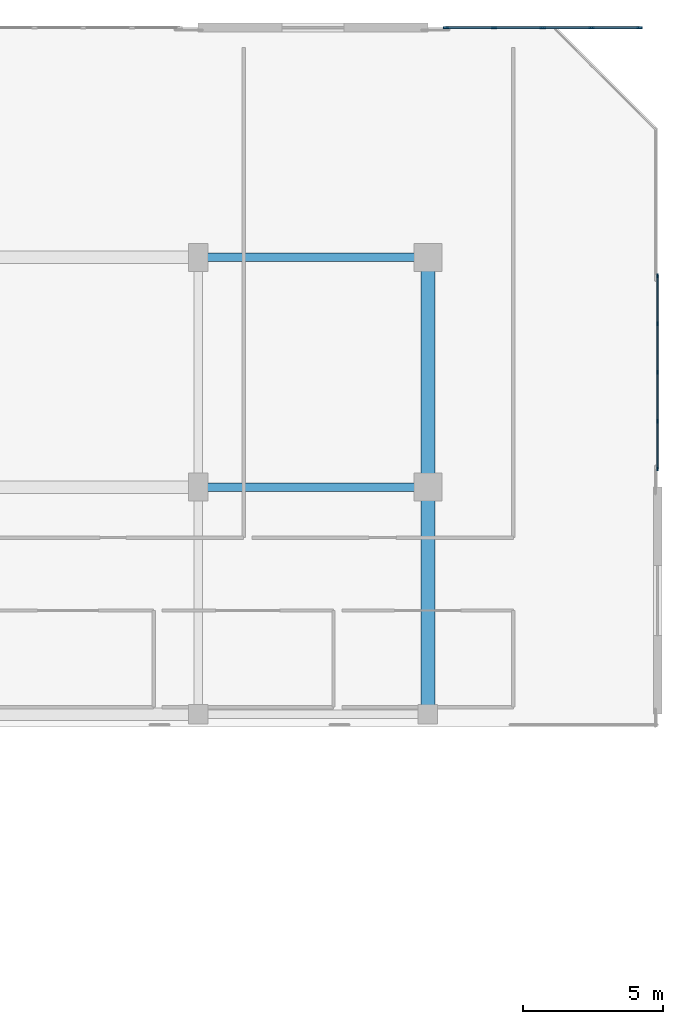
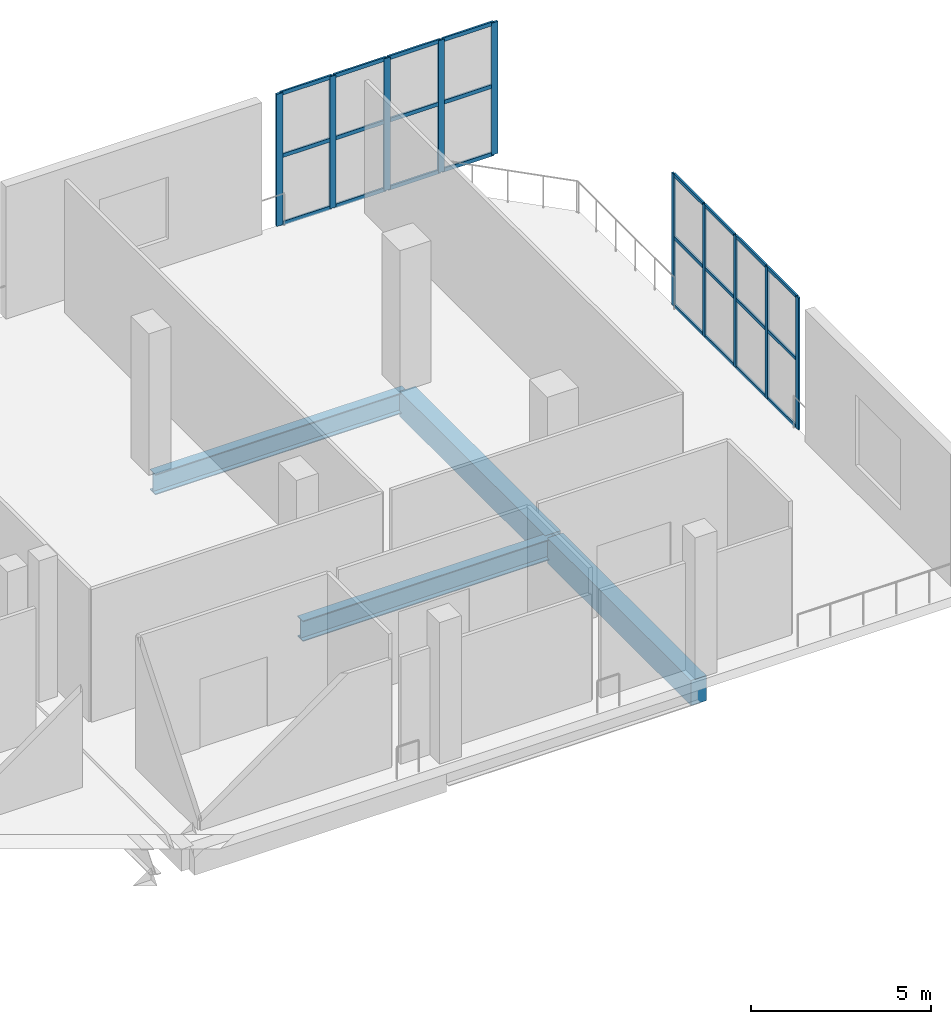
# One storey, part 58 of 129: 34 members, 4 beams, 2 elements without a shape of their own.
"""IFC4 building model written with IfcOpenShell, lengths in metres."""

from ifc_helpers import new_model, si_unit, direction, frame, origin, origin_2d, place, context, subcontext, project, spatial, rectangle, i_section, extrude, material, material_profile, profile_set, type_object, element, aggregate, save


model = new_model("IFC4")

# Units and contexts
model_context = context("Model", 3, precision=1e-05, world=origin(), true_north=direction((0.0, 1.0)))
body_context = subcontext(model_context, "Body", "Model", "MODEL_VIEW")
ifc_project = project(units=[si_unit("LENGTHUNIT", "METRE"), si_unit("AREAUNIT", "SQUARE_METRE"), si_unit("VOLUMEUNIT", "CUBIC_METRE"), si_unit("PLANEANGLEUNIT", "RADIAN"), si_unit("MASSUNIT", "GRAM", prefix="KILO")], contexts=[model_context])

# Site, building, storey
site_placement = place(None, origin())
site = spatial("IfcSite", under=ifc_project, at=site_placement, CompositionType="ELEMENT")
building_placement = place(site_placement, origin())
building = spatial("IfcBuilding", under=site, at=building_placement, Name="Koshinbarg Plaza Stadium", CompositionType="ELEMENT")
storey_placement = place(building_placement, frame((0.0, 0.0, 5.39990234375)))
storey = spatial("IfcBuildingStorey", under=building, at=storey_placement, Name="L01", CompositionType="ELEMENT", Elevation=5.39990234375)

# Beams
ifc_material_1 = material(Name="Concrete C40/50", Category="concrete")
ifc_material_profile_1 = material_profile(ifc_material_1, rectangle(XDim=0.5, YDim=0.85009765625, at=origin_2d()), Name="RC 500x850")
ifc_profile_set_1 = profile_set([ifc_material_profile_1], Name="Concrete C40/50")
beam_type_1 = type_object("IfcBeamType", Name="BM-RCG-05", PredefinedType="USERDEFINED", material=ifc_profile_set_1)
beam_1_placement = place(storey_placement, frame((235.800048828125, 127.56005859375, -0.744873046875), z_axis=(0.0, 1.0, 0.0), x_axis=(-1.0, 0.0, 0.0)))
element("IfcBeam", 1, at=beam_1_placement, inside=storey, type_object=beam_type_1, Name="L01 Y girder 24/S-T", ObjectType="GIRDER", PredefinedType="USERDEFINED", context=body_context, shape_type="SweptSolid", body=[
    extrude(rectangle(XDim=0.5, YDim=0.85009765625, at=origin_2d()), origin(), (0.0, 0.0, 1.0), 7.97998046875),
])
beam_2_placement = place(storey_placement, frame((235.800048828125, 135.659912109375, -0.744873046875), z_axis=(0.0, 1.0, 0.0), x_axis=(-1.0, 0.0, 0.0)))
element("IfcBeam", 2, at=beam_2_placement, inside=storey, type_object=beam_type_1, Name="L01 Y girder 24/T-U", ObjectType="GIRDER", PredefinedType="USERDEFINED", context=body_context, shape_type="SweptSolid", body=[
    extrude(rectangle(XDim=0.5, YDim=0.85009765625, at=origin_2d()), origin(), (0.0, 0.0, 1.0), 8.080078125),
])
ifc_material_2 = material(Name="Steel S355", Category="steel")
ifc_material_profile_2 = material_profile(ifc_material_2, i_section(OverallWidth=0.300048828125, OverallDepth=0.699951171875, WebThickness=0.01708984375, FlangeThickness=0.031982421875, at=origin_2d()), Name="HEB 700")
ifc_profile_set_2 = profile_set([ifc_material_profile_2], Name="Steel S355")
beam_type_2 = type_object("IfcBeamType", Name="BM-SGIR-03", PredefinedType="USERDEFINED", material=ifc_profile_set_2)
for number, where, z_axis, x_axis, name in (
    (3, (227.659912109375, 135.60009765625, -0.669921875), (1.0, 0.0, 0.0), (0.0, 1.0, 0.0), "L01 X girder T/23-24"),
    (4, (227.659912109375, 143.800048828125, -0.669921875), (1.0, 0.0, 0.0), (0.0, 1.0, 0.0), "L01 X girder U/23-24"),
):
    element("IfcBeam", number, at=place(storey_placement, frame(where, z_axis=z_axis, x_axis=x_axis)), inside=storey, type_object=beam_type_2, Name=name, ObjectType="GIRDER", PredefinedType="USERDEFINED", context=body_context, shape_type="SweptSolid", body=[
        extrude(i_section(OverallWidth=0.300048828125, OverallDepth=0.699951171875, WebThickness=0.01708984375, FlangeThickness=0.031982421875, at=origin_2d()), origin(), (0.0, 0.0, 1.0), 8.080078125),
    ])

# Curtain wall, members
ifc_material_3 = material(Name="Thermally broken anodised aluminium and low-E double glazing", Category="aluminium")
curtain_wall_type_1 = type_object("IfcCurtainWallType", Name="CW-SYS-09", PredefinedType="NOTDEFINED", material=ifc_material_3)
curtain_wall_1_placement = place(storey_placement, origin())
curtain_wall_1 = element("IfcCurtainWall", 5, at=curtain_wall_1_placement, inside=storey, type_object=curtain_wall_type_1, Name="L01 unitised curtain wall CW-L01-024", PredefinedType="NOTDEFINED")
ifc_material_4 = material(Name="Anodised aluminium mullion", Category="aluminium")
ifc_material_profile_3 = material_profile(ifc_material_4, rectangle(XDim=0.06005859375, YDim=0.139892578125, at=origin_2d()), Name="ALU 60x140")
ifc_profile_set_3 = profile_set([ifc_material_profile_3], Name="Anodised aluminium mullion")
member_type_1 = type_object("IfcMemberType", Name="CW-MUL-01", PredefinedType="MULLION", material=ifc_profile_set_3)
member_1_placement = place(storey_placement, frame((244.0, 143.14990234375, 0.0), z_axis=(0.0, 0.0, 1.0), x_axis=(1.0, 0.0, 0.0)))
member_1 = element("IfcMember", 6, at=member_1_placement, type_object=member_type_1, Name="CW09 mullion 1", PredefinedType="MULLION", context=body_context, shape_type="SweptSolid", body=[
    extrude(rectangle(XDim=0.06005859375, YDim=0.139892578125, at=origin_2d()), origin(), (0.0, 0.0, 1.0), 4.47998046875),
])
member_2_placement = place(storey_placement, frame((244.0, 141.43994140625, 0.0), z_axis=(0.0, 0.0, 1.0), x_axis=(1.0, 0.0, 0.0)))
member_2 = element("IfcMember", 7, at=member_2_placement, type_object=member_type_1, Name="CW09 mullion 2", PredefinedType="MULLION", context=body_context, shape_type="SweptSolid", body=[
    extrude(rectangle(XDim=0.06005859375, YDim=0.139892578125, at=origin_2d()), origin(), (0.0, 0.0, 1.0), 4.47998046875),
])
member_3_placement = place(storey_placement, frame((244.0, 139.699951171875, 0.0), z_axis=(0.0, 0.0, 1.0), x_axis=(1.0, 0.0, 0.0)))
member_3 = element("IfcMember", 8, at=member_3_placement, type_object=member_type_1, Name="CW09 mullion 3", PredefinedType="MULLION", context=body_context, shape_type="SweptSolid", body=[
    extrude(rectangle(XDim=0.06005859375, YDim=0.139892578125, at=origin_2d()), origin(), (0.0, 0.0, 1.0), 4.47998046875),
])
member_4_placement = place(storey_placement, frame((244.0, 137.9599609375, 0.0), z_axis=(0.0, 0.0, 1.0), x_axis=(1.0, 0.0, 0.0)))
member_4 = element("IfcMember", 9, at=member_4_placement, type_object=member_type_1, Name="CW09 mullion 4", PredefinedType="MULLION", context=body_context, shape_type="SweptSolid", body=[
    extrude(rectangle(XDim=0.06005859375, YDim=0.139892578125, at=origin_2d()), origin(), (0.0, 0.0, 1.0), 4.47998046875),
])
member_5_placement = place(storey_placement, frame((244.0, 136.25, 0.0), z_axis=(0.0, 0.0, 1.0), x_axis=(1.0, 0.0, 0.0)))
member_5 = element("IfcMember", 10, at=member_5_placement, type_object=member_type_1, Name="CW09 mullion 5", PredefinedType="MULLION", context=body_context, shape_type="SweptSolid", body=[
    extrude(rectangle(XDim=0.06005859375, YDim=0.139892578125, at=origin_2d()), origin(), (0.0, 0.0, 1.0), 4.47998046875),
])

curtain_wall_type_2 = type_object("IfcCurtainWallType", Name="CW-SYS-04", PredefinedType="NOTDEFINED", material=ifc_material_3)
curtain_wall_2_placement = place(storey_placement, origin())
curtain_wall_2 = element("IfcCurtainWall", 11, at=curtain_wall_2_placement, inside=storey, type_object=curtain_wall_type_2, Name="L01 unitised curtain wall CW-L01-019", PredefinedType="NOTDEFINED")
ifc_material_profile_4 = material_profile(ifc_material_4, rectangle(XDim=0.070068359375, YDim=0.199951171875, at=origin_2d()), Name="ALU 70x200")
ifc_profile_set_4 = profile_set([ifc_material_profile_4], Name="Anodised aluminium mullion")
member_type_2 = type_object("IfcMemberType", Name="CW-MUL-04", PredefinedType="MULLION", material=ifc_profile_set_4)
member_6_placement = place(storey_placement, frame((236.449951171875, 152.0, 0.0), z_axis=(0.0, 0.0, 1.0), x_axis=(0.0, 1.0, 0.0)))
member_6 = element("IfcMember", 12, at=member_6_placement, type_object=member_type_2, Name="CW04 mullion 1", PredefinedType="MULLION", context=body_context, shape_type="SweptSolid", body=[
    extrude(rectangle(XDim=0.070068359375, YDim=0.199951171875, at=origin_2d()), origin(), (0.0, 0.0, 1.0), 4.47998046875),
])
member_7_placement = place(storey_placement, frame((238.159912109375, 152.0, 0.0), z_axis=(0.0, 0.0, 1.0), x_axis=(0.0, 1.0, 0.0)))
member_7 = element("IfcMember", 13, at=member_7_placement, type_object=member_type_2, Name="CW04 mullion 2", PredefinedType="MULLION", context=body_context, shape_type="SweptSolid", body=[
    extrude(rectangle(XDim=0.070068359375, YDim=0.199951171875, at=origin_2d()), origin(), (0.0, 0.0, 1.0), 4.47998046875),
])
member_8_placement = place(storey_placement, frame((239.89990234375, 152.0, 0.0), z_axis=(0.0, 0.0, 1.0), x_axis=(0.0, 1.0, 0.0)))
member_8 = element("IfcMember", 14, at=member_8_placement, type_object=member_type_2, Name="CW04 mullion 3", PredefinedType="MULLION", context=body_context, shape_type="SweptSolid", body=[
    extrude(rectangle(XDim=0.070068359375, YDim=0.199951171875, at=origin_2d()), origin(), (0.0, 0.0, 1.0), 4.47998046875),
])
member_9_placement = place(storey_placement, frame((241.639892578125, 152.0, 0.0), z_axis=(0.0, 0.0, 1.0), x_axis=(0.0, 1.0, 0.0)))
member_9 = element("IfcMember", 15, at=member_9_placement, type_object=member_type_2, Name="CW04 mullion 4", PredefinedType="MULLION", context=body_context, shape_type="SweptSolid", body=[
    extrude(rectangle(XDim=0.070068359375, YDim=0.199951171875, at=origin_2d()), origin(), (0.0, 0.0, 1.0), 4.47998046875),
])
member_10_placement = place(storey_placement, frame((243.35009765625, 152.0, 0.0), z_axis=(0.0, 0.0, 1.0), x_axis=(0.0, 1.0, 0.0)))
member_10 = element("IfcMember", 16, at=member_10_placement, type_object=member_type_2, Name="CW04 mullion 5", PredefinedType="MULLION", context=body_context, shape_type="SweptSolid", body=[
    extrude(rectangle(XDim=0.070068359375, YDim=0.199951171875, at=origin_2d()), origin(), (0.0, 0.0, 1.0), 4.47998046875),
])

# Member
ifc_material_5 = material(Name="Anodised aluminium transom", Category="aluminium")
ifc_material_profile_5 = material_profile(ifc_material_5, rectangle(XDim=0.06005859375, YDim=0.110107421875, at=origin_2d()), Name="ALU 60x110")
ifc_profile_set_5 = profile_set([ifc_material_profile_5], Name="Anodised aluminium transom")
member_type_3 = type_object("IfcMemberType", Name="CW-TRN-01", PredefinedType="USERDEFINED", material=ifc_profile_set_5)
member_11_placement = place(storey_placement, frame((244.0, 143.1201171875, 0.030029296875), z_axis=(0.0, -1.0, 0.0), x_axis=(1.0, 0.0, 0.0)))
member_11 = element("IfcMember", 17, at=member_11_placement, type_object=member_type_3, Name="CW09 transom 1.1", ObjectType="TRANSOM", PredefinedType="USERDEFINED", context=body_context, shape_type="SweptSolid", body=[
    extrude(rectangle(XDim=0.06005859375, YDim=0.110107421875, at=origin_2d()), origin(), (0.0, 0.0, 1.0), 1.650146484375),
])

member_12_placement = place(storey_placement, frame((244.0, 143.1201171875, 2.32958984375), z_axis=(0.0, -1.0, 0.0), x_axis=(1.0, 0.0, 0.0)))
member_12 = element("IfcMember", 18, at=member_12_placement, type_object=member_type_3, Name="CW09 transom 1.2", ObjectType="TRANSOM", PredefinedType="USERDEFINED", context=body_context, shape_type="SweptSolid", body=[
    extrude(rectangle(XDim=0.06005859375, YDim=0.110107421875, at=origin_2d()), origin(), (0.0, 0.0, 1.0), 1.650146484375),
])

member_13_placement = place(storey_placement, frame((244.0, 143.1201171875, 4.4501953125), z_axis=(0.0, -1.0, 0.0), x_axis=(1.0, 0.0, 0.0)))
member_13 = element("IfcMember", 19, at=member_13_placement, type_object=member_type_3, Name="CW09 transom 1.3", ObjectType="TRANSOM", PredefinedType="USERDEFINED", context=body_context, shape_type="SweptSolid", body=[
    extrude(rectangle(XDim=0.06005859375, YDim=0.110107421875, at=origin_2d()), origin(), (0.0, 0.0, 1.0), 1.650146484375),
])

member_14_placement = place(storey_placement, frame((244.0, 141.409912109375, 0.030029296875), z_axis=(0.0, -1.0, 0.0), x_axis=(1.0, 0.0, 0.0)))
member_14 = element("IfcMember", 20, at=member_14_placement, type_object=member_type_3, Name="CW09 transom 2.1", ObjectType="TRANSOM", PredefinedType="USERDEFINED", context=body_context, shape_type="SweptSolid", body=[
    extrude(rectangle(XDim=0.06005859375, YDim=0.110107421875, at=origin_2d()), origin(), (0.0, 0.0, 1.0), 1.679931640625),
])

member_15_placement = place(storey_placement, frame((244.0, 141.409912109375, 2.32958984375), z_axis=(0.0, -1.0, 0.0), x_axis=(1.0, 0.0, 0.0)))
member_15 = element("IfcMember", 21, at=member_15_placement, type_object=member_type_3, Name="CW09 transom 2.2", ObjectType="TRANSOM", PredefinedType="USERDEFINED", context=body_context, shape_type="SweptSolid", body=[
    extrude(rectangle(XDim=0.06005859375, YDim=0.110107421875, at=origin_2d()), origin(), (0.0, 0.0, 1.0), 1.679931640625),
])

member_16_placement = place(storey_placement, frame((244.0, 141.409912109375, 4.4501953125), z_axis=(0.0, -1.0, 0.0), x_axis=(1.0, 0.0, 0.0)))
member_16 = element("IfcMember", 22, at=member_16_placement, type_object=member_type_3, Name="CW09 transom 2.3", ObjectType="TRANSOM", PredefinedType="USERDEFINED", context=body_context, shape_type="SweptSolid", body=[
    extrude(rectangle(XDim=0.06005859375, YDim=0.110107421875, at=origin_2d()), origin(), (0.0, 0.0, 1.0), 1.679931640625),
])

member_17_placement = place(storey_placement, frame((244.0, 139.669921875, 0.030029296875), z_axis=(0.0, -1.0, 0.0), x_axis=(1.0, 0.0, 0.0)))
member_17 = element("IfcMember", 23, at=member_17_placement, type_object=member_type_3, Name="CW09 transom 3.1", ObjectType="TRANSOM", PredefinedType="USERDEFINED", context=body_context, shape_type="SweptSolid", body=[
    extrude(rectangle(XDim=0.06005859375, YDim=0.110107421875, at=origin_2d()), origin(), (0.0, 0.0, 1.0), 1.679931640625),
])

member_18_placement = place(storey_placement, frame((244.0, 139.669921875, 2.32958984375), z_axis=(0.0, -1.0, 0.0), x_axis=(1.0, 0.0, 0.0)))
member_18 = element("IfcMember", 24, at=member_18_placement, type_object=member_type_3, Name="CW09 transom 3.2", ObjectType="TRANSOM", PredefinedType="USERDEFINED", context=body_context, shape_type="SweptSolid", body=[
    extrude(rectangle(XDim=0.06005859375, YDim=0.110107421875, at=origin_2d()), origin(), (0.0, 0.0, 1.0), 1.679931640625),
])

member_19_placement = place(storey_placement, frame((244.0, 139.669921875, 4.4501953125), z_axis=(0.0, -1.0, 0.0), x_axis=(1.0, 0.0, 0.0)))
member_19 = element("IfcMember", 25, at=member_19_placement, type_object=member_type_3, Name="CW09 transom 3.3", ObjectType="TRANSOM", PredefinedType="USERDEFINED", context=body_context, shape_type="SweptSolid", body=[
    extrude(rectangle(XDim=0.06005859375, YDim=0.110107421875, at=origin_2d()), origin(), (0.0, 0.0, 1.0), 1.679931640625),
])

member_20_placement = place(storey_placement, frame((244.0, 137.929931640625, 0.030029296875), z_axis=(0.0, -1.0, 0.0), x_axis=(1.0, 0.0, 0.0)))
member_20 = element("IfcMember", 26, at=member_20_placement, type_object=member_type_3, Name="CW09 transom 4.1", ObjectType="TRANSOM", PredefinedType="USERDEFINED", context=body_context, shape_type="SweptSolid", body=[
    extrude(rectangle(XDim=0.06005859375, YDim=0.110107421875, at=origin_2d()), origin(), (0.0, 0.0, 1.0), 1.64990234375),
])

member_21_placement = place(storey_placement, frame((244.0, 137.929931640625, 2.32958984375), z_axis=(0.0, -1.0, 0.0), x_axis=(1.0, 0.0, 0.0)))
member_21 = element("IfcMember", 27, at=member_21_placement, type_object=member_type_3, Name="CW09 transom 4.2", ObjectType="TRANSOM", PredefinedType="USERDEFINED", context=body_context, shape_type="SweptSolid", body=[
    extrude(rectangle(XDim=0.06005859375, YDim=0.110107421875, at=origin_2d()), origin(), (0.0, 0.0, 1.0), 1.64990234375),
])

member_22_placement = place(storey_placement, frame((244.0, 137.929931640625, 4.4501953125), z_axis=(0.0, -1.0, 0.0), x_axis=(1.0, 0.0, 0.0)))
member_22 = element("IfcMember", 28, at=member_22_placement, type_object=member_type_3, Name="CW09 transom 4.3", ObjectType="TRANSOM", PredefinedType="USERDEFINED", context=body_context, shape_type="SweptSolid", body=[
    extrude(rectangle(XDim=0.06005859375, YDim=0.110107421875, at=origin_2d()), origin(), (0.0, 0.0, 1.0), 1.64990234375),
])

aggregate(curtain_wall_1, [member_1, member_2, member_3, member_4, member_5, member_11, member_12, member_13, member_14, member_15, member_16, member_17, member_18, member_19, member_20, member_21, member_22])

ifc_material_profile_6 = material_profile(ifc_material_5, rectangle(XDim=0.06005859375, YDim=0.1298828125, at=origin_2d()), Name="ALU 60x130")
ifc_profile_set_6 = profile_set([ifc_material_profile_6], Name="Anodised aluminium transom")
member_type_4 = type_object("IfcMemberType", Name="CW-TRN-02", PredefinedType="USERDEFINED", material=ifc_profile_set_6)
member_23_placement = place(storey_placement, frame((236.47998046875, 152.0, 0.030029296875), z_axis=(1.0, 0.0, 0.0), x_axis=(0.0, 1.0, 0.0)))
member_23 = element("IfcMember", 29, at=member_23_placement, type_object=member_type_4, Name="CW04 transom 1.1", ObjectType="TRANSOM", PredefinedType="USERDEFINED", context=body_context, shape_type="SweptSolid", body=[
    extrude(rectangle(XDim=0.06005859375, YDim=0.1298828125, at=origin_2d()), origin(), (0.0, 0.0, 1.0), 1.64990234375),
])

member_24_placement = place(storey_placement, frame((236.47998046875, 152.0, 2.32958984375), z_axis=(1.0, 0.0, 0.0), x_axis=(0.0, 1.0, 0.0)))
member_24 = element("IfcMember", 30, at=member_24_placement, type_object=member_type_4, Name="CW04 transom 1.2", ObjectType="TRANSOM", PredefinedType="USERDEFINED", context=body_context, shape_type="SweptSolid", body=[
    extrude(rectangle(XDim=0.06005859375, YDim=0.1298828125, at=origin_2d()), origin(), (0.0, 0.0, 1.0), 1.64990234375),
])

member_25_placement = place(storey_placement, frame((236.47998046875, 152.0, 4.4501953125), z_axis=(1.0, 0.0, 0.0), x_axis=(0.0, 1.0, 0.0)))
member_25 = element("IfcMember", 31, at=member_25_placement, type_object=member_type_4, Name="CW04 transom 1.3", ObjectType="TRANSOM", PredefinedType="USERDEFINED", context=body_context, shape_type="SweptSolid", body=[
    extrude(rectangle(XDim=0.06005859375, YDim=0.1298828125, at=origin_2d()), origin(), (0.0, 0.0, 1.0), 1.64990234375),
])

member_26_placement = place(storey_placement, frame((238.18994140625, 152.0, 0.030029296875), z_axis=(1.0, 0.0, 0.0), x_axis=(0.0, 1.0, 0.0)))
member_26 = element("IfcMember", 32, at=member_26_placement, type_object=member_type_4, Name="CW04 transom 2.1", ObjectType="TRANSOM", PredefinedType="USERDEFINED", context=body_context, shape_type="SweptSolid", body=[
    extrude(rectangle(XDim=0.06005859375, YDim=0.1298828125, at=origin_2d()), origin(), (0.0, 0.0, 1.0), 1.68017578125),
])

member_27_placement = place(storey_placement, frame((238.18994140625, 152.0, 2.32958984375), z_axis=(1.0, 0.0, 0.0), x_axis=(0.0, 1.0, 0.0)))
member_27 = element("IfcMember", 33, at=member_27_placement, type_object=member_type_4, Name="CW04 transom 2.2", ObjectType="TRANSOM", PredefinedType="USERDEFINED", context=body_context, shape_type="SweptSolid", body=[
    extrude(rectangle(XDim=0.06005859375, YDim=0.1298828125, at=origin_2d()), origin(), (0.0, 0.0, 1.0), 1.68017578125),
])

member_28_placement = place(storey_placement, frame((238.18994140625, 152.0, 4.4501953125), z_axis=(1.0, 0.0, 0.0), x_axis=(0.0, 1.0, 0.0)))
member_28 = element("IfcMember", 34, at=member_28_placement, type_object=member_type_4, Name="CW04 transom 2.3", ObjectType="TRANSOM", PredefinedType="USERDEFINED", context=body_context, shape_type="SweptSolid", body=[
    extrude(rectangle(XDim=0.06005859375, YDim=0.1298828125, at=origin_2d()), origin(), (0.0, 0.0, 1.0), 1.68017578125),
])

member_29_placement = place(storey_placement, frame((239.929931640625, 152.0, 0.030029296875), z_axis=(1.0, 0.0, 0.0), x_axis=(0.0, 1.0, 0.0)))
member_29 = element("IfcMember", 35, at=member_29_placement, type_object=member_type_4, Name="CW04 transom 3.1", ObjectType="TRANSOM", PredefinedType="USERDEFINED", context=body_context, shape_type="SweptSolid", body=[
    extrude(rectangle(XDim=0.06005859375, YDim=0.1298828125, at=origin_2d()), origin(), (0.0, 0.0, 1.0), 1.68017578125),
])

member_30_placement = place(storey_placement, frame((239.929931640625, 152.0, 2.32958984375), z_axis=(1.0, 0.0, 0.0), x_axis=(0.0, 1.0, 0.0)))
member_30 = element("IfcMember", 36, at=member_30_placement, type_object=member_type_4, Name="CW04 transom 3.2", ObjectType="TRANSOM", PredefinedType="USERDEFINED", context=body_context, shape_type="SweptSolid", body=[
    extrude(rectangle(XDim=0.06005859375, YDim=0.1298828125, at=origin_2d()), origin(), (0.0, 0.0, 1.0), 1.68017578125),
])

member_31_placement = place(storey_placement, frame((239.929931640625, 152.0, 4.4501953125), z_axis=(1.0, 0.0, 0.0), x_axis=(0.0, 1.0, 0.0)))
member_31 = element("IfcMember", 37, at=member_31_placement, type_object=member_type_4, Name="CW04 transom 3.3", ObjectType="TRANSOM", PredefinedType="USERDEFINED", context=body_context, shape_type="SweptSolid", body=[
    extrude(rectangle(XDim=0.06005859375, YDim=0.1298828125, at=origin_2d()), origin(), (0.0, 0.0, 1.0), 1.68017578125),
])

member_32_placement = place(storey_placement, frame((241.669921875, 152.0, 0.030029296875), z_axis=(1.0, 0.0, 0.0), x_axis=(0.0, 1.0, 0.0)))
member_32 = element("IfcMember", 38, at=member_32_placement, type_object=member_type_4, Name="CW04 transom 4.1", ObjectType="TRANSOM", PredefinedType="USERDEFINED", context=body_context, shape_type="SweptSolid", body=[
    extrude(rectangle(XDim=0.06005859375, YDim=0.1298828125, at=origin_2d()), origin(), (0.0, 0.0, 1.0), 1.650146484375),
])

member_33_placement = place(storey_placement, frame((241.669921875, 152.0, 2.32958984375), z_axis=(1.0, 0.0, 0.0), x_axis=(0.0, 1.0, 0.0)))
member_33 = element("IfcMember", 39, at=member_33_placement, type_object=member_type_4, Name="CW04 transom 4.2", ObjectType="TRANSOM", PredefinedType="USERDEFINED", context=body_context, shape_type="SweptSolid", body=[
    extrude(rectangle(XDim=0.06005859375, YDim=0.1298828125, at=origin_2d()), origin(), (0.0, 0.0, 1.0), 1.650146484375),
])

member_34_placement = place(storey_placement, frame((241.669921875, 152.0, 4.4501953125), z_axis=(1.0, 0.0, 0.0), x_axis=(0.0, 1.0, 0.0)))
member_34 = element("IfcMember", 40, at=member_34_placement, type_object=member_type_4, Name="CW04 transom 4.3", ObjectType="TRANSOM", PredefinedType="USERDEFINED", context=body_context, shape_type="SweptSolid", body=[
    extrude(rectangle(XDim=0.06005859375, YDim=0.1298828125, at=origin_2d()), origin(), (0.0, 0.0, 1.0), 1.650146484375),
])

aggregate(curtain_wall_2, [member_6, member_7, member_8, member_9, member_10, member_23, member_24, member_25, member_26, member_27, member_28, member_29, member_30, member_31, member_32, member_33, member_34])

save(model, "model.ifc")
